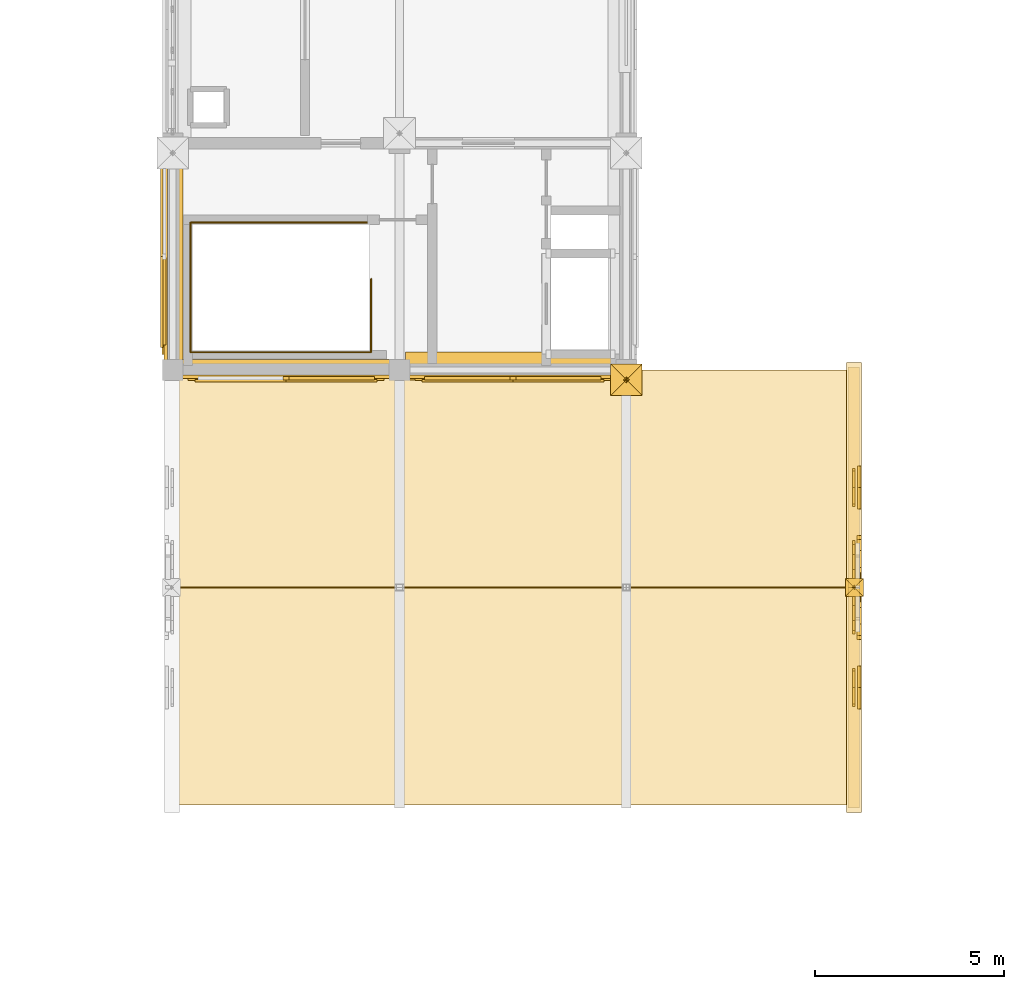
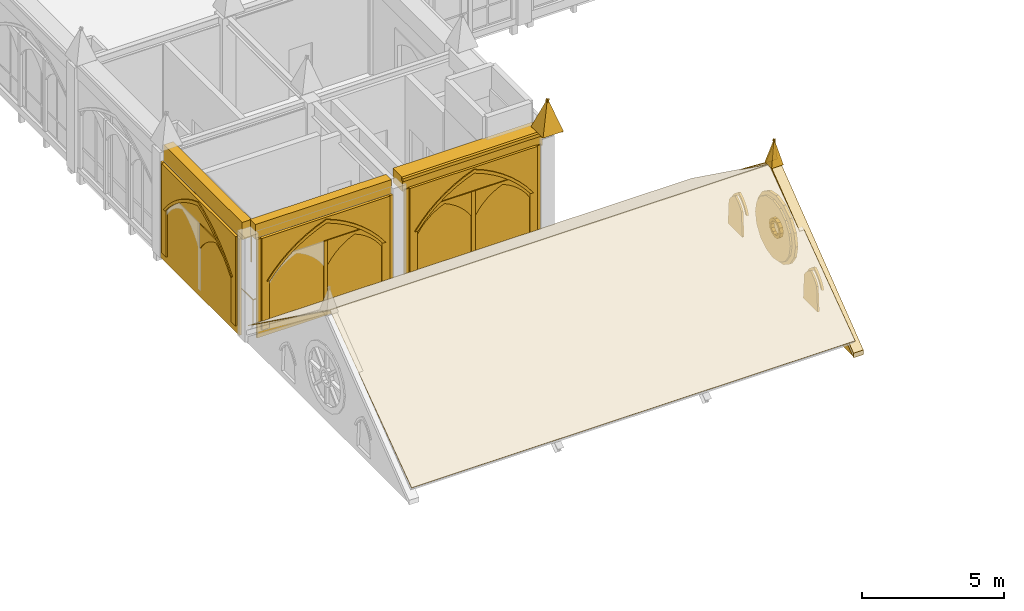
# One storey, part 97 of 108: 38 coverings, 1 railing.
"""IFC4 building model written with IfcOpenShell, lengths in metres."""

from ifc_helpers import new_model, si_unit, direction, frame, origin, origin_2d, place, context, subcontext, project, spatial, polyline, rectangle, circle, outline, extrude, material, type_object, element, save


model = new_model("IFC4")

# Units and contexts
model_context = context("Model", 3, precision=1e-05, world=origin(), true_north=direction((0.0, 1.0)))
body_context = subcontext(model_context, "Body", "Model", "MODEL_VIEW")
ifc_project = project(units=[si_unit("LENGTHUNIT", "METRE"), si_unit("AREAUNIT", "SQUARE_METRE"), si_unit("VOLUMEUNIT", "CUBIC_METRE"), si_unit("PLANEANGLEUNIT", "RADIAN"), si_unit("MASSUNIT", "GRAM", prefix="KILO")], contexts=[model_context])

# Site, building, storey
site_placement = place(None, origin())
site = spatial("IfcSite", under=ifc_project, at=site_placement, CompositionType="ELEMENT")
building_placement = place(site_placement, origin())
building = spatial("IfcBuilding", under=site, at=building_placement, Name="Cumevento Cable Car Station", CompositionType="ELEMENT")
storey_placement = place(building_placement, frame((0.0, 0.0, 13.5)))
storey = spatial("IfcBuildingStorey", under=building, at=storey_placement, Name="L04", CompositionType="ELEMENT", Elevation=13.5)

# Railing
ifc_material_1 = material(Name="Painted Galvanised Architectural Steel", Category="steel")
railing_type = type_object("IfcRailingType", Name="Stair Guardrail GR-S115", PredefinedType="GUARDRAIL", material=ifc_material_1)
railing_placement = place(storey_placement, frame((123.25, 23.409912109375, 0.0)))
element("IfcRailing", 1, at=railing_placement, inside=storey, type_object=railing_type, Name="Stairwell Opening Rim Guard ST-05-L03 L04", PredefinedType="GUARDRAIL", context=body_context, shape_type="SweptSolid", body=[
    extrude(circle(Radius=0.02392578125, at=origin_2d()), frame((0.0, 0.0, 1.1259765625), z_axis=(0.0, -1.0, 0.0), x_axis=(1.0, 0.0, 0.0)), (0.0, 0.0, 1.0), 1.93994140625),
    extrude(circle(Radius=0.02392578125, at=origin_2d()), frame((0.0, -1.93994140625, 1.1259765625), z_axis=(-1.0, 0.0, 0.0), x_axis=(0.0, -1.0, 0.0)), (0.0, 0.0, 1.0), 4.780029296875),
    extrude(circle(Radius=0.02392578125, at=origin_2d()), frame((-4.780029296875, -1.93994140625, 1.1259765625), z_axis=(0.0, 1.0, 0.0), x_axis=(-1.0, 0.0, 0.0)), (0.0, 0.0, 1.0), 3.429931640625),
    extrude(circle(Radius=0.02392578125, at=origin_2d()), frame((-4.780029296875, 1.489990234375, 1.1259765625), z_axis=(1.0, 0.0, 0.0), x_axis=(0.0, 1.0, 0.0)), (0.0, 0.0, 1.0), 4.780029296875),
    extrude(circle(Radius=0.02001953125, at=origin_2d()), origin(), (0.0, 0.0, 1.0), 1.101806640625),
    extrude(circle(Radius=0.02001953125, at=origin_2d()), frame((0.0, -0.969970703125, 0.0)), (0.0, 0.0, 1.0), 1.101806640625),
    extrude(circle(Radius=0.02001953125, at=origin_2d()), frame((0.0, -1.93994140625, 0.0)), (0.0, 0.0, 1.0), 1.101806640625),
    extrude(circle(Radius=0.02001953125, at=origin_2d()), frame((-0.9560546875, -1.93994140625, 0.0)), (0.0, 0.0, 1.0), 1.101806640625),
    extrude(circle(Radius=0.02001953125, at=origin_2d()), frame((-1.912109375, -1.93994140625, 0.0)), (0.0, 0.0, 1.0), 1.101806640625),
    extrude(circle(Radius=0.02001953125, at=origin_2d()), frame((-2.867919921875, -1.93994140625, 0.0)), (0.0, 0.0, 1.0), 1.101806640625),
    extrude(circle(Radius=0.02001953125, at=origin_2d()), frame((-3.823974609375, -1.93994140625, 0.0)), (0.0, 0.0, 1.0), 1.101806640625),
    extrude(circle(Radius=0.02001953125, at=origin_2d()), frame((-4.780029296875, -1.93994140625, 0.0)), (0.0, 0.0, 1.0), 1.101806640625),
    extrude(circle(Radius=0.02001953125, at=origin_2d()), frame((-4.780029296875, -1.08251953125, 0.0)), (0.0, 0.0, 1.0), 1.101806640625),
    extrude(circle(Radius=0.02001953125, at=origin_2d()), frame((-4.780029296875, -0.22509765625, 0.0)), (0.0, 0.0, 1.0), 1.101806640625),
    extrude(circle(Radius=0.02001953125, at=origin_2d()), frame((-4.780029296875, 0.632568359375, 0.0)), (0.0, 0.0, 1.0), 1.101806640625),
    extrude(circle(Radius=0.02001953125, at=origin_2d()), frame((-4.780029296875, 1.489990234375, 0.0)), (0.0, 0.0, 1.0), 1.101806640625),
    extrude(circle(Radius=0.02001953125, at=origin_2d()), frame((-3.823974609375, 1.489990234375, 0.0)), (0.0, 0.0, 1.0), 1.101806640625),
    extrude(circle(Radius=0.02001953125, at=origin_2d()), frame((-2.867919921875, 1.489990234375, 0.0)), (0.0, 0.0, 1.0), 1.101806640625),
    extrude(circle(Radius=0.02001953125, at=origin_2d()), frame((-1.912109375, 1.489990234375, 0.0)), (0.0, 0.0, 1.0), 1.101806640625),
    extrude(circle(Radius=0.02001953125, at=origin_2d()), frame((-0.9560546875, 1.489990234375, 0.0)), (0.0, 0.0, 1.0), 1.101806640625),
    extrude(circle(Radius=0.02001953125, at=origin_2d()), frame((0.0, 1.489990234375, 0.0)), (0.0, 0.0, 1.0), 1.101806640625),
])

# Coverings
ifc_material_2 = material(Name="Standing-Seam Zinc-Titanium Roof Sheet", Category="steel")
covering_type_1 = type_object("IfcCoveringType", Name="Standing-Seam Zinc Roofing CV-RF01", PredefinedType="ROOFING", material=ifc_material_2)
for number, where, z_axis, x_axis, name in (
    (2, (118.0, 9.5, 0.485595703125), (0.0, -0.585237422198, 0.81086198558), (1.0, 0.0, 0.0), "Standing-Seam Zinc Roof Covering #43"),
    (3, (118.0, 15.260009765625, 4.62841796875), (0.0, 0.585237422198, 0.81086198558), (1.0, 0.0, 0.0), "Standing-Seam Zinc Roof Covering #44"),
):
    element("IfcCovering", number, at=place(storey_placement, frame(where, z_axis=z_axis, x_axis=x_axis)), inside=storey, type_object=covering_type_1, Name=name, PredefinedType="ROOFING", context=body_context, shape_type="SweptSolid", body=[
        extrude(outline(polyline([(0.0, 0.0), (18.0, 0.0), (18.0, 7.078874502015036), (0.0, 7.078874502015036), (0.0, 0.0)])), origin(), (0.0, 0.0, -1.0), 0.02587890625),
    ])
ifc_material_3 = material(Name="Gnaisse Facoidal Stone Ashlar 85 MPa", Category="masonry")
covering_type_2 = type_object("IfcCoveringType", Name="Gnaisse Ashlar Cladding CV-CL01", PredefinedType="CLADDING", material=ifc_material_3)
for number, where, z_axis, x_axis, name in (
    (4, (129.580078125, 21.159912109375, 4.8701171875), (0.0, 0.951573760476, 0.30742052367), (1.0, 0.0, 0.0), "Gothic Buttress Pinnacle Spire Facet 1 bt:130.0:21.0"),
    (5, (130.419921875, 21.159912109375, 4.8701171875), (0.951573760476, 0.0, 0.30742052367), (0.0, -1.0, 0.0), "Gothic Buttress Pinnacle Spire Facet 2 bt:130.0:21.0"),
    (6, (130.419921875, 20.320068359375, 4.8701171875), (0.0, -0.951573760476, 0.30742052367), (-1.0, 0.0, 0.0), "Gothic Buttress Pinnacle Spire Facet 3 bt:130.0:21.0"),
    (7, (129.580078125, 20.320068359375, 4.8701171875), (-0.951573760476, 0.0, 0.30742052367), (0.0, 1.0, 0.0), "Gothic Buttress Pinnacle Spire Facet 4 bt:130.0:21.0"),
):
    element("IfcCovering", number, at=place(storey_placement, frame(where, z_axis=z_axis, x_axis=x_axis)), inside=storey, type_object=covering_type_2, Name=name, PredefinedType="CLADDING", context=body_context, shape_type="SweptSolid", body=[
        extrude(outline(polyline([(0.0, 0.0), (0.83984375, 0.0), (0.419921875, -1.3659526370817139), (0.0, 0.0)])), origin(), (0.0, 0.0, -1.0), 0.0849609375),
    ])
covering_1_placement = place(storey_placement, frame((121.0, 21.090087890625, 4.134033203125), z_axis=(0.0, 0.0, 1.0), x_axis=(-1.0, 0.0, 0.0)))
element("IfcCovering", 8, at=covering_1_placement, inside=storey, type_object=covering_type_2, Name="Gothic Stone Spandrel Stringcourse sc:0751", PredefinedType="CLADDING", context=body_context, shape_type="SweptSolid", body=[
    extrude(rectangle(XDim=5.510009765625, YDim=0.3798828125, at=origin_2d()), origin(), (0.0, 0.0, 1.0), 0.64599609375),
])
covering_2_placement = place(storey_placement, frame((127.0, 21.14990234375, 4.174072265625), z_axis=(0.0, 0.0, 1.0), x_axis=(-1.0, 0.0, 0.0)))
element("IfcCovering", 9, at=covering_2_placement, inside=storey, type_object=covering_type_2, Name="Gothic Stone Spandrel Stringcourse sc:0752", PredefinedType="CLADDING", context=body_context, shape_type="SweptSolid", body=[
    extrude(rectangle(XDim=5.68994140625, YDim=0.659912109375, at=origin_2d()), origin(), (0.0, 0.0, 1.0), 0.60595703125),
])
covering_3_placement = place(storey_placement, frame((127.0, 20.79248046875, 4.650146484375), z_axis=(0.0, 0.0, 1.0), x_axis=(-1.0, 0.0, 0.0)))
element("IfcCovering", 10, at=covering_3_placement, inside=storey, type_object=covering_type_2, Name="Gothic Cornice Dripstone Lip sc:0752", PredefinedType="CLADDING", context=body_context, shape_type="SweptSolid", body=[
    extrude(rectangle(XDim=5.72998046875, YDim=0.114990234375, at=origin_2d()), origin(), (0.0, 0.0, 1.0), 0.1298828125),
])
covering_4_placement = place(storey_placement, frame((118.090087890625, 24.0, 4.032958984375), z_axis=(0.0, 0.0, 1.0), x_axis=(0.0, 1.0, 0.0)))
element("IfcCovering", 11, at=covering_4_placement, inside=storey, type_object=covering_type_2, Name="Gothic Stone Spandrel Stringcourse sc:0753", PredefinedType="CLADDING", context=body_context, shape_type="SweptSolid", body=[
    extrude(rectangle(XDim=5.510009765625, YDim=0.3798828125, at=origin_2d()), origin(), (0.0, 0.0, 1.0), 0.7470703125),
])
covering_5_placement = place(storey_placement, frame((123.72509765625, 21.0, 0.0), z_axis=(0.0, 0.0, 1.0), x_axis=(-1.0, 0.0, 0.0)))
element("IfcCovering", 12, at=covering_5_placement, inside=storey, type_object=covering_type_2, Name="Exterior Gnaisse Stone Wall Ashlar #283", PredefinedType="CLADDING", context=body_context, shape_type="SweptSolid", body=[
    extrude(outline(polyline([(-0.0400390625, -0.02001953125), (5.489990234375, -0.02001953125), (5.489990234375, 4.214111328125), (-0.0400390625, 4.214111328125), (-0.0400390625, -0.02001953125)])), frame((0.0, 0.222412109375, 0.0), z_axis=(0.0, -1.0, 0.0), x_axis=(1.0, 0.0, 0.0)), (0.0, 0.0, 1.0), 0.0849609375),
])
placement_1 = place(storey_placement, frame((123.544921875, 21.0, 0.300048828125), z_axis=(0.0, 0.0, 1.0), x_axis=(-1.0, 0.0, 0.0)))
element("IfcCovering", 13, at=placement_1, inside=storey, type_object=covering_type_2, Name="Gothic Ogival Pointed-Arch Stone Spandrel blind_ogival:0283", PredefinedType="CLADDING", context=body_context, shape_type="SweptSolid", body=[
    extrude(outline(polyline([(-0.050048828125, 0.0), (-0.050048828125, 3.93408203125), (5.139892578125, 3.93408203125), (5.139892578125, 0.0), (4.830078125, 0.0), (4.830078125, 2.048583984375), (4.568603515625, 2.36376953125), (4.281982421875, 2.65625), (3.971923828125, 2.923828125), (3.64111328125, 3.1650390625), (3.291259765625, 3.378173828125), (2.925048828125, 3.5615234375), (2.544921875, 3.7138671875), (2.1650390625, 3.5615234375), (1.798828125, 3.378173828125), (1.448974609375, 3.1650390625), (1.1181640625, 2.923828125), (0.80810546875, 2.65625), (0.521484375, 2.36376953125), (0.260009765625, 2.048583984375), (0.260009765625, 0.0), (-0.050048828125, 0.0)])), frame((0.0, 0.277587890625, 0.0), z_axis=(0.0, -1.0, 0.0), x_axis=(1.0, 0.0, 0.0)), (0.0, 0.0, 1.0), 0.110107421875),
])
covering_7_placement = place(storey_placement, frame((123.544921875, 21.0, 2.3486328125), z_axis=(0.0, 0.0, 1.0), x_axis=(-1.0, 0.0, 0.0)))
element("IfcCovering", 14, at=covering_7_placement, inside=storey, type_object=covering_type_2, Name="Gothic Pointed Archivolt Hood Moulding blind_ogival:0283", PredefinedType="CLADDING", context=body_context, shape_type="SweptSolid", body=[
    extrude(outline(polyline([(0.260009765625, 0.0), (0.521484375, 0.315185546875), (0.80810546875, 0.607666015625), (1.1181640625, 0.875244140625), (1.448974609375, 1.116455078125), (1.798828125, 1.32958984375), (2.1650390625, 1.512939453125), (2.544921875, 1.665283203125), (2.925048828125, 1.512939453125), (3.291259765625, 1.32958984375), (3.64111328125, 1.116455078125), (3.971923828125, 0.875244140625), (4.281982421875, 0.607666015625), (4.568603515625, 0.315185546875), (4.830078125, 0.0), (4.950927734375, 0.0), (4.679931640625, 0.3427734375), (4.380859375, 0.661376953125), (4.0556640625, 0.953125), (3.70703125, 1.216552734375), (3.337158203125, 1.44921875), (2.948974609375, 1.64990234375), (2.544921875, 1.816650390625), (2.14111328125, 1.64990234375), (1.7529296875, 1.44921875), (1.383056640625, 1.216552734375), (1.034423828125, 0.953125), (0.709228515625, 0.661376953125), (0.41015625, 0.3427734375), (0.138916015625, 0.0), (0.260009765625, 0.0)])), frame((0.0, 0.319580078125, 0.0), z_axis=(0.0, -1.0, 0.0), x_axis=(1.0, 0.0, 0.0)), (0.0, 0.0, 1.0), 0.06689453125),
])
element("IfcCovering", 15, at=placement_1, inside=storey, type_object=covering_type_2, Name="Gothic Bifora Stone Colonnette blind_ogival:0283 #1", PredefinedType="CLADDING", context=body_context, shape_type="SweptSolid", body=[
    extrude(outline(polyline([(2.469970703125, -0.02001953125), (2.6201171875, -0.02001953125), (2.6201171875, 2.91455078125), (2.469970703125, 2.91455078125), (2.469970703125, -0.02001953125)])), frame((0.0, 0.265380859375, 0.0), z_axis=(0.0, -1.0, 0.0), x_axis=(1.0, 0.0, 0.0)), (0.0, 0.0, 1.0), 0.094970703125),
])
covering_9_placement = place(storey_placement, frame((123.31494140625, 21.0, 2.168701171875), z_axis=(0.0, 0.0, 1.0), x_axis=(-1.0, 0.0, 0.0)))
element("IfcCovering", 16, at=covering_9_placement, inside=storey, type_object=covering_type_2, Name="Gothic Ogival Pointed-Arch Stone Spandrel blind_ogival:0283:sub:0", PredefinedType="CLADDING", context=body_context, shape_type="SweptSolid", body=[
    extrude(outline(polyline([(-0.02001953125, 0.0), (-0.02001953125, 1.0458984375), (2.2900390625, 1.0458984375), (2.2900390625, 0.0), (2.22998046875, 0.0), (2.0927734375, 0.20068359375), (1.934814453125, 0.385498046875), (1.7578125, 0.55224609375), (1.564208984375, 0.698974609375), (1.355712890625, 0.823974609375), (1.135009765625, 0.926025390625), (0.914306640625, 0.823974609375), (0.705810546875, 0.698974609375), (0.51220703125, 0.55224609375), (0.335205078125, 0.385498046875), (0.17724609375, 0.20068359375), (0.0400390625, 0.0), (-0.02001953125, 0.0)])), frame((0.0, 0.261474609375, 0.0), z_axis=(0.0, -1.0, 0.0), x_axis=(1.0, 0.0, 0.0)), (0.0, 0.0, 1.0), 0.090087890625),
])
covering_10_placement = place(storey_placement, frame((129.72509765625, 21.0, 0.0), z_axis=(0.0, 0.0, 1.0), x_axis=(-1.0, 0.0, 0.0)))
element("IfcCovering", 17, at=covering_10_placement, inside=storey, type_object=covering_type_2, Name="Exterior Gnaisse Stone Wall Ashlar #284", PredefinedType="CLADDING", context=body_context, shape_type="SweptSolid", body=[
    extrude(outline(polyline([(-0.0400390625, -0.02001953125), (5.489990234375, -0.02001953125), (5.489990234375, 4.25390625), (-0.0400390625, 4.25390625), (-0.0400390625, -0.02001953125)])), frame((0.0, 0.222412109375, 0.0), z_axis=(0.0, -1.0, 0.0), x_axis=(1.0, 0.0, 0.0)), (0.0, 0.0, 1.0), 0.0849609375),
])
placement_2 = place(storey_placement, frame((129.544921875, 21.0, 0.300048828125), z_axis=(0.0, 0.0, 1.0), x_axis=(-1.0, 0.0, 0.0)))
element("IfcCovering", 18, at=placement_2, inside=storey, type_object=covering_type_2, Name="Gothic Ogival Pointed-Arch Stone Spandrel blind_ogival:0284", PredefinedType="CLADDING", context=body_context, shape_type="SweptSolid", body=[
    extrude(outline(polyline([(-0.050048828125, 0.0), (-0.050048828125, 3.97412109375), (5.139892578125, 3.97412109375), (5.139892578125, 0.0), (4.830078125, 0.0), (4.830078125, 2.071044921875), (4.56982421875, 2.38916015625), (4.283935546875, 2.6845703125), (3.974365234375, 2.955322265625), (3.643310546875, 3.198974609375), (3.293212890625, 3.414306640625), (2.92626953125, 3.599853515625), (2.544921875, 3.754150390625), (2.163818359375, 3.599853515625), (1.796875, 3.414306640625), (1.44677734375, 3.198974609375), (1.11572265625, 2.955322265625), (0.80615234375, 2.6845703125), (0.520263671875, 2.38916015625), (0.260009765625, 2.071044921875), (0.260009765625, 0.0), (-0.050048828125, 0.0)])), frame((0.0, 0.277587890625, 0.0), z_axis=(0.0, -1.0, 0.0), x_axis=(1.0, 0.0, 0.0)), (0.0, 0.0, 1.0), 0.110107421875),
])
covering_12_placement = place(storey_placement, frame((129.544921875, 21.0, 2.37109375), z_axis=(0.0, 0.0, 1.0), x_axis=(-1.0, 0.0, 0.0)))
element("IfcCovering", 19, at=covering_12_placement, inside=storey, type_object=covering_type_2, Name="Gothic Pointed Archivolt Hood Moulding blind_ogival:0284", PredefinedType="CLADDING", context=body_context, shape_type="SweptSolid", body=[
    extrude(outline(polyline([(0.260009765625, 0.0), (0.520263671875, 0.318115234375), (0.80615234375, 0.613525390625), (1.11572265625, 0.88427734375), (1.44677734375, 1.1279296875), (1.796875, 1.34326171875), (2.163818359375, 1.52880859375), (2.544921875, 1.68310546875), (2.92626953125, 1.52880859375), (3.293212890625, 1.34326171875), (3.643310546875, 1.1279296875), (3.974365234375, 0.88427734375), (4.283935546875, 0.613525390625), (4.56982421875, 0.318115234375), (4.830078125, 0.0), (4.950927734375, 0.0), (4.68115234375, 0.345703125), (4.3828125, 0.667236328125), (4.05810546875, 0.9619140625), (3.709228515625, 1.22802734375), (3.339111328125, 1.463134765625), (2.949951171875, 1.665771484375), (2.544921875, 1.834228515625), (2.14013671875, 1.665771484375), (1.7509765625, 1.463134765625), (1.380859375, 1.22802734375), (1.031982421875, 0.9619140625), (0.707275390625, 0.667236328125), (0.408935546875, 0.345703125), (0.138916015625, 0.0), (0.260009765625, 0.0)])), frame((0.0, 0.319580078125, 0.0), z_axis=(0.0, -1.0, 0.0), x_axis=(1.0, 0.0, 0.0)), (0.0, 0.0, 1.0), 0.06689453125),
])
element("IfcCovering", 20, at=placement_2, inside=storey, type_object=covering_type_2, Name="Gothic Bifora Stone Colonnette blind_ogival:0284 #1", PredefinedType="CLADDING", context=body_context, shape_type="SweptSolid", body=[
    extrude(outline(polyline([(2.469970703125, -0.02001953125), (2.6201171875, -0.02001953125), (2.6201171875, 2.9462890625), (2.469970703125, 2.9462890625), (2.469970703125, -0.02001953125)])), frame((0.0, 0.265380859375, 0.0), z_axis=(0.0, -1.0, 0.0), x_axis=(1.0, 0.0, 0.0)), (0.0, 0.0, 1.0), 0.094970703125),
])
for number, where, z_axis, x_axis, name in (
    (21, (129.31494140625, 21.0, 2.19091796875), (0.0, 0.0, 1.0), (-1.0, 0.0, 0.0), "Gothic Ogival Pointed-Arch Stone Spandrel blind_ogival:0284:sub:0"),
    (22, (126.955078125, 21.0, 2.19091796875), (0.0, 0.0, 1.0), (-1.0, 0.0, 0.0), "Gothic Ogival Pointed-Arch Stone Spandrel blind_ogival:0284:sub:1"),
):
    element("IfcCovering", number, at=place(storey_placement, frame(where, z_axis=z_axis, x_axis=x_axis)), inside=storey, type_object=covering_type_2, Name=name, PredefinedType="CLADDING", context=body_context, shape_type="SweptSolid", body=[
        extrude(outline(polyline([(-0.02001953125, 0.0), (-0.02001953125, 1.05517578125), (2.2900390625, 1.05517578125), (2.2900390625, 0.0), (2.22998046875, 0.0), (2.093505859375, 0.202392578125), (1.93603515625, 0.388916015625), (1.75927734375, 0.557373046875), (1.565185546875, 0.70556640625), (1.3564453125, 0.83203125), (1.135009765625, 0.935302734375), (0.91357421875, 0.83203125), (0.704833984375, 0.70556640625), (0.5107421875, 0.557373046875), (0.333984375, 0.388916015625), (0.176513671875, 0.202392578125), (0.0400390625, 0.0), (-0.02001953125, 0.0)])), frame((0.0, 0.261474609375, 0.0), z_axis=(0.0, -1.0, 0.0), x_axis=(1.0, 0.0, 0.0)), (0.0, 0.0, 1.0), 0.090087890625),
    ])
covering_14_placement = place(storey_placement, frame((118.0, 21.27490234375, 0.0), z_axis=(0.0, 0.0, 1.0), x_axis=(0.0, 1.0, 0.0)))
element("IfcCovering", 23, at=covering_14_placement, inside=storey, type_object=covering_type_2, Name="Exterior Gnaisse Stone Wall Ashlar #285", PredefinedType="CLADDING", context=body_context, shape_type="SweptSolid", body=[
    extrude(outline(polyline([(-0.0400390625, -0.02001953125), (5.489990234375, -0.02001953125), (5.489990234375, 4.113037109375), (-0.0400390625, 4.113037109375), (-0.0400390625, -0.02001953125)])), frame((0.0, 0.222412109375, 0.0), z_axis=(0.0, -1.0, 0.0), x_axis=(1.0, 0.0, 0.0)), (0.0, 0.0, 1.0), 0.0849609375),
])
covering_15_placement = place(storey_placement, frame((118.0, 21.455078125, 0.300048828125), z_axis=(0.0, 0.0, 1.0), x_axis=(0.0, 1.0, 0.0)))
element("IfcCovering", 24, at=covering_15_placement, inside=storey, type_object=covering_type_2, Name="Gothic Ogival Pointed-Arch Stone Spandrel blind_ogival:0285", PredefinedType="CLADDING", context=body_context, shape_type="SweptSolid", body=[
    extrude(outline(polyline([(-0.050048828125, 0.0), (-0.050048828125, 3.8330078125), (5.139892578125, 3.8330078125), (5.139892578125, 0.0), (4.830078125, 0.0), (4.830078125, 1.9921875), (4.565673828125, 2.299560546875), (4.277099609375, 2.58447265625), (3.96630859375, 2.84521484375), (3.635498046875, 3.07958984375), (3.286865234375, 3.286865234375), (2.922607421875, 3.465087890625), (2.544921875, 3.61279296875), (2.16748046875, 3.465087890625), (1.80322265625, 3.286865234375), (1.45458984375, 3.07958984375), (1.123779296875, 2.84521484375), (0.81298828125, 2.58447265625), (0.5244140625, 2.299560546875), (0.260009765625, 1.9921875), (0.260009765625, 0.0), (-0.050048828125, 0.0)])), frame((0.0, 0.277587890625, 0.0), z_axis=(0.0, -1.0, 0.0), x_axis=(1.0, 0.0, 0.0)), (0.0, 0.0, 1.0), 0.110107421875),
])
covering_16_placement = place(storey_placement, frame((118.0, 21.455078125, 2.2919921875), z_axis=(0.0, 0.0, 1.0), x_axis=(0.0, 1.0, 0.0)))
element("IfcCovering", 25, at=covering_16_placement, inside=storey, type_object=covering_type_2, Name="Gothic Pointed Archivolt Hood Moulding blind_ogival:0285", PredefinedType="CLADDING", context=body_context, shape_type="SweptSolid", body=[
    extrude(outline(polyline([(0.260009765625, 0.0), (0.5244140625, 0.307373046875), (0.81298828125, 0.59228515625), (1.123779296875, 0.85302734375), (1.45458984375, 1.087646484375), (1.80322265625, 1.294677734375), (2.16748046875, 1.472900390625), (2.544921875, 1.620849609375), (2.922607421875, 1.472900390625), (3.286865234375, 1.294677734375), (3.635498046875, 1.087646484375), (3.96630859375, 0.85302734375), (4.277099609375, 0.59228515625), (4.565673828125, 0.307373046875), (4.830078125, 0.0), (4.950927734375, 0.0), (4.677001953125, 0.3349609375), (4.3759765625, 0.64599609375), (4.050048828125, 0.930908203125), (3.701416015625, 1.187744140625), (3.332763671875, 1.41455078125), (2.9462890625, 1.60986328125), (2.544921875, 1.772216796875), (2.143798828125, 1.60986328125), (1.75732421875, 1.41455078125), (1.388671875, 1.187744140625), (1.0400390625, 0.930908203125), (0.714111328125, 0.64599609375), (0.4130859375, 0.3349609375), (0.138916015625, 0.0), (0.260009765625, 0.0)])), frame((0.0, 0.319580078125, 0.0), z_axis=(0.0, -1.0, 0.0), x_axis=(1.0, 0.0, 0.0)), (0.0, 0.0, 1.0), 0.06689453125),
])
covering_17_placement = place(storey_placement, frame((118.0, 21.68505859375, 2.112060546875), z_axis=(0.0, 0.0, 1.0), x_axis=(0.0, 1.0, 0.0)))
element("IfcCovering", 26, at=covering_17_placement, inside=storey, type_object=covering_type_2, Name="Gothic Ogival Pointed-Arch Stone Spandrel blind_ogival:0285:sub:0", PredefinedType="CLADDING", context=body_context, shape_type="SweptSolid", body=[
    extrude(outline(polyline([(-0.02001953125, 0.0), (-0.02001953125, 1.02294921875), (2.2900390625, 1.02294921875), (2.2900390625, 0.0), (2.22998046875, 0.0), (2.0908203125, 0.196044921875), (1.931884765625, 0.37646484375), (1.754638671875, 0.5390625), (1.561279296875, 0.681884765625), (1.35400390625, 0.8037109375), (1.135009765625, 0.90283203125), (0.916015625, 0.8037109375), (0.708740234375, 0.681884765625), (0.515380859375, 0.5390625), (0.338134765625, 0.37646484375), (0.17919921875, 0.196044921875), (0.0400390625, 0.0), (-0.02001953125, 0.0)])), frame((0.0, 0.261474609375, 0.0), z_axis=(0.0, -1.0, 0.0), x_axis=(1.0, 0.0, 0.0)), (0.0, 0.0, 1.0), 0.090087890625),
])
placement_3 = place(storey_placement, frame((136.0, 21.0, 0.0), z_axis=(0.0, 0.0, 1.0), x_axis=(0.0, -1.0, 0.0)))
element("IfcCovering", 27, at=placement_3, inside=storey, type_object=covering_type_2, Name="Gothic Stone Gable Tympanum wing_B_V4a_E", PredefinedType="CLADDING", context=body_context, shape_type="SweptSolid", body=[
    extrude(outline(polyline([(-0.080078125, -0.06005859375), (11.580078125, -0.06005859375), (5.75, 4.510009765625), (-0.080078125, -0.06005859375)]), holes=[polyline([(6.946044921875, 1.81640625), (6.85498046875, 2.27392578125), (6.595703125, 2.662109375), (6.207763671875, 2.92138671875), (5.75, 3.012451171875), (5.292236328125, 2.92138671875), (4.904296875, 2.662109375), (4.64501953125, 2.27392578125), (4.553955078125, 1.81640625), (4.64501953125, 1.358642578125), (4.904296875, 0.970458984375), (5.292236328125, 0.711181640625), (5.75, 0.6201171875), (6.207763671875, 0.711181640625), (6.595703125, 0.970458984375), (6.85498046875, 1.358642578125), (6.946044921875, 1.81640625)]), polyline([(2.6298828125, 0.179931640625), (3.580078125, 0.179931640625), (3.52099609375, 1.190673828125), (3.44189453125, 1.314453125), (3.344482421875, 1.424560546875), (3.2314453125, 1.51806640625), (3.10498046875, 1.593017578125), (2.978515625, 1.51806640625), (2.865478515625, 1.424560546875), (2.76806640625, 1.314453125), (2.68896484375, 1.190673828125), (2.6298828125, 0.179931640625)]), polyline([(7.919921875, 0.179931640625), (8.8701171875, 0.179931640625), (8.81103515625, 1.190673828125), (8.73193359375, 1.314453125), (8.634765625, 1.424560546875), (8.521484375, 1.51806640625), (8.39501953125, 1.593017578125), (8.2685546875, 1.51806640625), (8.1552734375, 1.424560546875), (8.05810546875, 1.314453125), (7.97900390625, 1.190673828125), (7.919921875, 0.179931640625)])]), frame((0.0, 0.159912109375, 0.0), z_axis=(0.0, -1.0, 0.0), x_axis=(1.0, 0.0, 0.0)), (0.0, 0.0, 1.0), 0.300048828125),
])
element("IfcCovering", 28, at=placement_3, inside=storey, type_object=covering_type_2, Name="Gothic Gable Recessed Tracery Backing wing_B_V4a_E rose", PredefinedType="CLADDING", context=body_context, shape_type="SweptSolid", body=[
    extrude(outline(polyline([(6.986083984375, 1.81640625), (6.89208984375, 2.289306640625), (6.6240234375, 2.6904296875), (6.22314453125, 2.958251953125), (5.75, 3.052490234375), (5.27685546875, 2.958251953125), (4.8759765625, 2.6904296875), (4.60791015625, 2.289306640625), (4.513916015625, 1.81640625), (4.60791015625, 1.34326171875), (4.8759765625, 0.942138671875), (5.27685546875, 0.67431640625), (5.75, 0.580078125), (6.22314453125, 0.67431640625), (6.6240234375, 0.942138671875), (6.89208984375, 1.34326171875), (6.986083984375, 1.81640625)])), frame((0.0, 0.050048828125, 0.0), z_axis=(0.0, -1.0, 0.0), x_axis=(1.0, 0.0, 0.0)), (0.0, 0.0, 1.0), 0.074951171875),
])
element("IfcCovering", 29, at=placement_3, inside=storey, type_object=covering_type_2, Name="Gothic Gable Recessed Tracery Backing wing_B_V4a_E lancet_0", PredefinedType="CLADDING", context=body_context, shape_type="SweptSolid", body=[
    extrude(outline(polyline([(2.60009765625, 0.14990234375), (3.610107421875, 0.14990234375), (3.545654296875, 1.19677734375), (3.4609375, 1.3251953125), (3.357421875, 1.43896484375), (3.238037109375, 1.53564453125), (3.10498046875, 1.613037109375), (2.971923828125, 1.53564453125), (2.8525390625, 1.43896484375), (2.7490234375, 1.3251953125), (2.664306640625, 1.19677734375), (2.60009765625, 0.14990234375)])), frame((0.0, 0.050048828125, 0.0), z_axis=(0.0, -1.0, 0.0), x_axis=(1.0, 0.0, 0.0)), (0.0, 0.0, 1.0), 0.074951171875),
])
element("IfcCovering", 30, at=placement_3, inside=storey, type_object=covering_type_2, Name="Gothic Gable Recessed Tracery Backing wing_B_V4a_E lancet_1", PredefinedType="CLADDING", context=body_context, shape_type="SweptSolid", body=[
    extrude(outline(polyline([(7.889892578125, 0.14990234375), (8.89990234375, 0.14990234375), (8.8359375, 1.19677734375), (8.7509765625, 1.3251953125), (8.647705078125, 1.43896484375), (8.528076171875, 1.53564453125), (8.39501953125, 1.613037109375), (8.261962890625, 1.53564453125), (8.142333984375, 1.43896484375), (8.0390625, 1.3251953125), (7.9541015625, 1.19677734375), (7.889892578125, 0.14990234375)])), frame((0.0, 0.050048828125, 0.0), z_axis=(0.0, -1.0, 0.0), x_axis=(1.0, 0.0, 0.0)), (0.0, 0.0, 1.0), 0.074951171875),
])
element("IfcCovering", 31, at=placement_3, inside=storey, type_object=covering_type_2, Name="Gothic 16-Sided Stone Rose Window Ring wing_B_V4a_E", PredefinedType="CLADDING", context=body_context, shape_type="SweptSolid", body=[
    extrude(outline(polyline([(7.126220703125, 1.81640625), (7.021240234375, 2.343017578125), (6.72314453125, 2.789306640625), (6.276611328125, 3.087646484375), (5.75, 3.1923828125), (5.223388671875, 3.087646484375), (4.77685546875, 2.789306640625), (4.478759765625, 2.343017578125), (4.373779296875, 1.81640625), (4.478759765625, 1.289794921875), (4.77685546875, 0.84326171875), (5.223388671875, 0.544921875), (5.75, 0.440185546875), (6.276611328125, 0.544921875), (6.72314453125, 0.84326171875), (7.021240234375, 1.289794921875), (7.126220703125, 1.81640625)]), holes=[polyline([(6.876220703125, 1.81640625), (6.790283203125, 2.247314453125), (6.54638671875, 2.612548828125), (6.180908203125, 2.856689453125), (5.75, 2.9423828125), (5.319091796875, 2.856689453125), (4.95361328125, 2.612548828125), (4.709716796875, 2.247314453125), (4.623779296875, 1.81640625), (4.709716796875, 1.38525390625), (4.95361328125, 1.02001953125), (5.319091796875, 0.77587890625), (5.75, 0.690185546875), (6.180908203125, 0.77587890625), (6.54638671875, 1.02001953125), (6.790283203125, 1.38525390625), (6.876220703125, 1.81640625)])]), frame((0.0, 0.215087890625, 0.0), z_axis=(0.0, -1.0, 0.0), x_axis=(1.0, 0.0, 0.0)), (0.0, 0.0, 1.0), 0.110107421875),
])
element("IfcCovering", 32, at=placement_3, inside=storey, type_object=covering_type_2, Name="Gothic Rose Central Stone Oculus Hub wing_B_V4a_E", PredefinedType="CLADDING", context=body_context, shape_type="SweptSolid", body=[
    extrude(outline(polyline([(6.14111328125, 1.81640625), (6.088623046875, 2.01171875), (5.945556640625, 2.155029296875), (5.75, 2.207275390625), (5.554443359375, 2.155029296875), (5.411376953125, 2.01171875), (5.35888671875, 1.81640625), (5.411376953125, 1.620849609375), (5.554443359375, 1.477783203125), (5.75, 1.42529296875), (5.945556640625, 1.477783203125), (6.088623046875, 1.620849609375), (6.14111328125, 1.81640625)]), holes=[polyline([(6.02099609375, 1.81640625), (5.984619140625, 1.951904296875), (5.885498046875, 2.051025390625), (5.75, 2.08740234375), (5.614501953125, 2.051025390625), (5.515380859375, 1.951904296875), (5.47900390625, 1.81640625), (5.515380859375, 1.680908203125), (5.614501953125, 1.58154296875), (5.75, 1.54541015625), (5.885498046875, 1.58154296875), (5.984619140625, 1.680908203125), (6.02099609375, 1.81640625)])]), frame((0.0, 0.18994140625, 0.0), z_axis=(0.0, -1.0, 0.0), x_axis=(1.0, 0.0, 0.0)), (0.0, 0.0, 1.0), 0.139892578125),
])
element("IfcCovering", 33, at=placement_3, inside=storey, type_object=covering_type_2, Name="Gable Lancet Stone Hood Moulding wing_B_V4a_E #1", PredefinedType="CLADDING", context=body_context, shape_type="SweptSolid", body=[
    extrude(outline(polyline([(2.6298828125, 1.05615234375), (2.68896484375, 1.190673828125), (2.76806640625, 1.314453125), (2.865478515625, 1.424560546875), (2.978515625, 1.51806640625), (3.10498046875, 1.593017578125), (3.2314453125, 1.51806640625), (3.344482421875, 1.424560546875), (3.44189453125, 1.314453125), (3.52099609375, 1.190673828125), (3.580078125, 1.05615234375), (3.669921875, 1.05615234375), (3.601806640625, 1.22021484375), (3.508544921875, 1.37158203125), (3.392822265625, 1.50634765625), (3.257080078125, 1.62109375), (3.10498046875, 1.713134765625), (2.952880859375, 1.62109375), (2.817138671875, 1.50634765625), (2.701416015625, 1.37158203125), (2.608154296875, 1.22021484375), (2.5400390625, 1.05615234375), (2.6298828125, 1.05615234375)])), frame((0.0, 0.205078125, 0.0), z_axis=(0.0, -1.0, 0.0), x_axis=(1.0, 0.0, 0.0)), (0.0, 0.0, 1.0), 0.090087890625),
])
element("IfcCovering", 34, at=placement_3, inside=storey, type_object=covering_type_2, Name="Gable Lancet Stone Hood Moulding wing_B_V4a_E #2", PredefinedType="CLADDING", context=body_context, shape_type="SweptSolid", body=[
    extrude(outline(polyline([(7.919921875, 1.05615234375), (7.97900390625, 1.190673828125), (8.05810546875, 1.314453125), (8.1552734375, 1.424560546875), (8.2685546875, 1.51806640625), (8.39501953125, 1.593017578125), (8.521484375, 1.51806640625), (8.634765625, 1.424560546875), (8.73193359375, 1.314453125), (8.81103515625, 1.190673828125), (8.8701171875, 1.05615234375), (8.9599609375, 1.05615234375), (8.891845703125, 1.22021484375), (8.798583984375, 1.37158203125), (8.682861328125, 1.50634765625), (8.547119140625, 1.62109375), (8.39501953125, 1.713134765625), (8.242919921875, 1.62109375), (8.107177734375, 1.50634765625), (7.991455078125, 1.37158203125), (7.898193359375, 1.22021484375), (7.830078125, 1.05615234375), (7.919921875, 1.05615234375)])), frame((0.0, 0.205078125, 0.0), z_axis=(0.0, -1.0, 0.0), x_axis=(1.0, 0.0, 0.0)), (0.0, 0.0, 1.0), 0.090087890625),
])
element("IfcCovering", 35, at=placement_3, inside=storey, type_object=covering_type_2, Name="Raking Gothic Stone Gable Coping wing_B_V4a_E", PredefinedType="CLADDING", context=body_context, shape_type="SweptSolid", body=[
    extrude(outline(polyline([(-0.199951171875, -0.06005859375), (5.75, 4.510009765625), (11.699951171875, -0.06005859375), (11.699951171875, 0.139892578125), (5.75, 4.75), (-0.199951171875, 0.139892578125), (-0.199951171875, -0.06005859375)])), frame((0.0, 0.219970703125, 0.0), z_axis=(0.0, -1.0, 0.0), x_axis=(1.0, 0.0, 0.0)), (0.0, 0.0, 1.0), 0.39990234375),
])
for number, where, z_axis, x_axis, name in (
    (36, (135.7900390625, 15.489990234375, 4.610107421875), (-0.974851470876, 0.0, 0.222855580435), (0.0, -1.0, 0.0), "Gothic Gable Finial Spire Facet 1 wing_B_V4a_E"),
    (37, (135.7900390625, 15.010009765625, 4.610107421875), (0.0, -0.974851470876, 0.222855580435), (1.0, 0.0, 0.0), "Gothic Gable Finial Spire Facet 2 wing_B_V4a_E"),
    (38, (136.27001953125, 15.010009765625, 4.610107421875), (0.974851470876, 0.0, 0.222855580435), (0.0, 1.0, 0.0), "Gothic Gable Finial Spire Facet 3 wing_B_V4a_E"),
    (39, (136.27001953125, 15.489990234375, 4.610107421875), (0.0, 0.974851470876, 0.222855580435), (-1.0, 0.0, 0.0), "Gothic Gable Finial Spire Facet 4 wing_B_V4a_E"),
):
    element("IfcCovering", number, at=place(storey_placement, frame(where, z_axis=z_axis, x_axis=x_axis)), inside=storey, type_object=covering_type_2, Name=name, PredefinedType="CLADDING", context=body_context, shape_type="SweptSolid", body=[
        extrude(outline(polyline([(0.0, 0.0), (0.47998046875, 0.0), (0.239990234375, 1.0768868067222015), (0.0, 0.0)])), origin(), (0.0, 0.0, -1.0), 0.06494140625),
    ])

save(model, "model.ifc")
